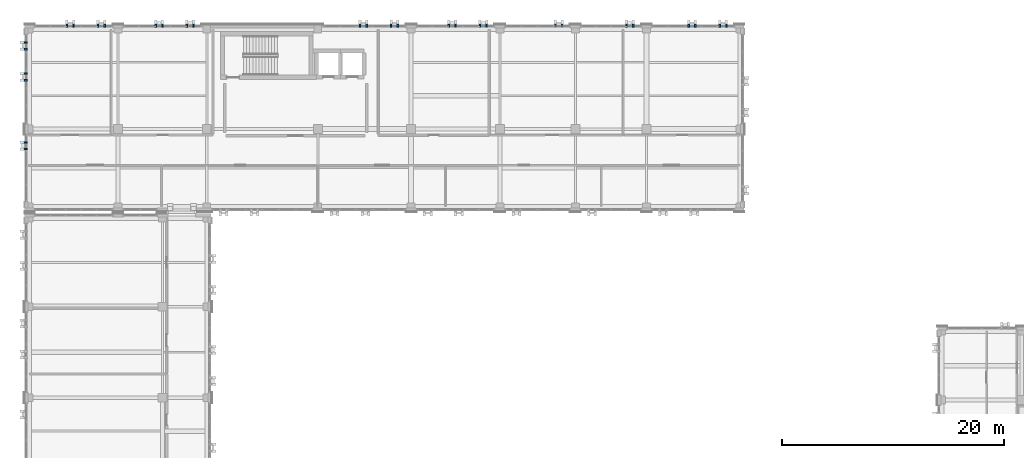
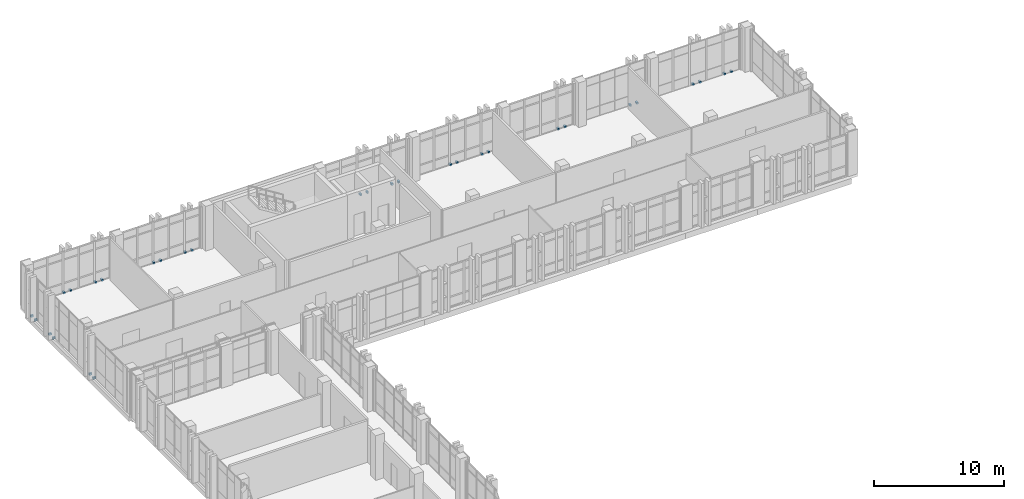
# One storey, part 169 of 193: 30 discrete accessories.
"""IFC4 building model written with IfcOpenShell, lengths in metres."""

from ifc_helpers import new_model, si_unit, direction, frame, origin, origin_2d, place, context, subcontext, project, spatial, rectangle, extrude, material, type_object, element, save


model = new_model("IFC4")

# Units and contexts
model_context = context("Model", 3, precision=1e-05, world=origin(), true_north=direction((0.0, 1.0)))
body_context = subcontext(model_context, "Body", "Model", "MODEL_VIEW")
ifc_project = project(units=[si_unit("LENGTHUNIT", "METRE"), si_unit("AREAUNIT", "SQUARE_METRE"), si_unit("VOLUMEUNIT", "CUBIC_METRE"), si_unit("PLANEANGLEUNIT", "RADIAN"), si_unit("MASSUNIT", "GRAM", prefix="KILO")], contexts=[model_context])

# Site, building, storey
site_placement = place(None, origin())
site = spatial("IfcSite", under=ifc_project, at=site_placement, CompositionType="ELEMENT")
building_placement = place(site_placement, origin())
building = spatial("IfcBuilding", under=site, at=building_placement, Name="Qalavern Law Courts", CompositionType="ELEMENT")
storey_placement = place(building_placement, frame((0.0, 0.0, 10.199951171875)))
storey = spatial("IfcBuildingStorey", under=building, at=storey_placement, Name="L02", CompositionType="ELEMENT", Elevation=10.199951171875)

# Discrete accessories
ifc_material = material(Name="Steel S355", Category="steel")
discrete_accessory_type = type_object("IfcDiscreteAccessoryType", Name="ENV-BRK-FIN", PredefinedType="BRACKET", material=ifc_material)
for number, where, z_axis, x_axis, name in (
    (1, (65.199951171875, 112.905029296875, -0.06982421875), (0.0, 0.0, 1.0), (0.0, 1.0, 0.0), "Stone blade anchor bracket 0979"),
    (2, (64.60009765625, 112.905029296875, -0.06982421875), (0.0, 0.0, 1.0), (0.0, 1.0, 0.0), "Stone blade anchor bracket 0980"),
    (3, (62.39990234375, 112.905029296875, -0.06982421875), (0.0, 0.0, 1.0), (0.0, 1.0, 0.0), "Stone blade anchor bracket 0981"),
    (4, (61.800048828125, 112.905029296875, -0.06982421875), (0.0, 0.0, 1.0), (0.0, 1.0, 0.0), "Stone blade anchor bracket 0982"),
    (5, (56.800048828125, 112.905029296875, -0.06982421875), (0.0, 0.0, 1.0), (0.0, 1.0, 0.0), "Stone blade anchor bracket 0983"),
    (6, (56.199951171875, 112.905029296875, -0.06982421875), (0.0, 0.0, 1.0), (0.0, 1.0, 0.0), "Stone blade anchor bracket 0984"),
    (7, (50.39990234375, 112.905029296875, -0.06982421875), (0.0, 0.0, 1.0), (0.0, 1.0, 0.0), "Stone blade anchor bracket 0985"),
    (8, (49.800048828125, 112.905029296875, -0.06982421875), (0.0, 0.0, 1.0), (0.0, 1.0, 0.0), "Stone blade anchor bracket 0986"),
    (9, (43.60009765625, 112.905029296875, -0.06982421875), (0.0, 0.0, 1.0), (0.0, 1.0, 0.0), "Stone blade anchor bracket 0987"),
    (10, (43.0, 112.905029296875, -0.06982421875), (0.0, 0.0, 1.0), (0.0, 1.0, 0.0), "Stone blade anchor bracket 0988"),
    (11, (40.800048828125, 112.905029296875, -0.06982421875), (0.0, 0.0, 1.0), (0.0, 1.0, 0.0), "Stone blade anchor bracket 0989"),
    (12, (40.199951171875, 112.905029296875, -0.06982421875), (0.0, 0.0, 1.0), (0.0, 1.0, 0.0), "Stone blade anchor bracket 0990"),
    (13, (35.60009765625, 112.905029296875, -0.06982421875), (0.0, 0.0, 1.0), (0.0, 1.0, 0.0), "Stone blade anchor bracket 0991"),
    (14, (35.0, 112.905029296875, -0.06982421875), (0.0, 0.0, 1.0), (0.0, 1.0, 0.0), "Stone blade anchor bracket 0992"),
    (15, (32.800048828125, 112.905029296875, -0.06982421875), (0.0, 0.0, 1.0), (0.0, 1.0, 0.0), "Stone blade anchor bracket 0993"),
    (16, (32.199951171875, 112.905029296875, -0.06982421875), (0.0, 0.0, 1.0), (0.0, 1.0, 0.0), "Stone blade anchor bracket 0994"),
    (17, (17.199951171875, 112.905029296875, -0.06982421875), (0.0, 0.0, 1.0), (0.0, 1.0, 0.0), "Stone blade anchor bracket 0995"),
    (18, (16.60009765625, 112.905029296875, -0.06982421875), (0.0, 0.0, 1.0), (0.0, 1.0, 0.0), "Stone blade anchor bracket 0996"),
    (19, (14.39990234375, 112.905029296875, -0.06982421875), (0.0, 0.0, 1.0), (0.0, 1.0, 0.0), "Stone blade anchor bracket 0997"),
    (20, (13.800048828125, 112.905029296875, -0.06982421875), (0.0, 0.0, 1.0), (0.0, 1.0, 0.0), "Stone blade anchor bracket 0998"),
    (21, (9.199951171875, 112.905029296875, -0.06982421875), (0.0, 0.0, 1.0), (0.0, 1.0, 0.0), "Stone blade anchor bracket 0999"),
    (22, (8.60009765625, 112.905029296875, -0.06982421875), (0.0, 0.0, 1.0), (0.0, 1.0, 0.0), "Stone blade anchor bracket 1000"),
    (23, (6.39990234375, 112.905029296875, -0.06982421875), (0.0, 0.0, 1.0), (0.0, 1.0, 0.0), "Stone blade anchor bracket 1001"),
    (24, (5.800048828125, 112.905029296875, -0.06982421875), (0.0, 0.0, 1.0), (0.0, 1.0, 0.0), "Stone blade anchor bracket 1002"),
    (25, (2.094970703125, 111.39990234375, -0.06982421875), (0.0, 0.0, 1.0), (-1.0, 0.0, 0.0), "Stone blade anchor bracket 1003"),
    (26, (2.094970703125, 110.800048828125, -0.06982421875), (0.0, 0.0, 1.0), (-1.0, 0.0, 0.0), "Stone blade anchor bracket 1004"),
    (27, (2.094970703125, 108.60009765625, -0.06982421875), (0.0, 0.0, 1.0), (-1.0, 0.0, 0.0), "Stone blade anchor bracket 1005"),
    (28, (2.094970703125, 108.0, -0.06982421875), (0.0, 0.0, 1.0), (-1.0, 0.0, 0.0), "Stone blade anchor bracket 1006"),
    (29, (2.094970703125, 102.39990234375, -0.06982421875), (0.0, 0.0, 1.0), (-1.0, 0.0, 0.0), "Stone blade anchor bracket 1007"),
    (30, (2.094970703125, 101.800048828125, -0.06982421875), (0.0, 0.0, 1.0), (-1.0, 0.0, 0.0), "Stone blade anchor bracket 1008"),
):
    element("IfcDiscreteAccessory", number, at=place(storey_placement, frame(where, z_axis=z_axis, x_axis=x_axis)), inside=storey, type_object=discrete_accessory_type, Name=name, PredefinedType="BRACKET", context=body_context, shape_type="SweptSolid", body=[
        extrude(rectangle(XDim=0.239990234375, YDim=0.159912109375, at=origin_2d()), origin(), (0.0, 0.0, 1.0), 0.179931640625),
    ])

save(model, "model.ifc")
